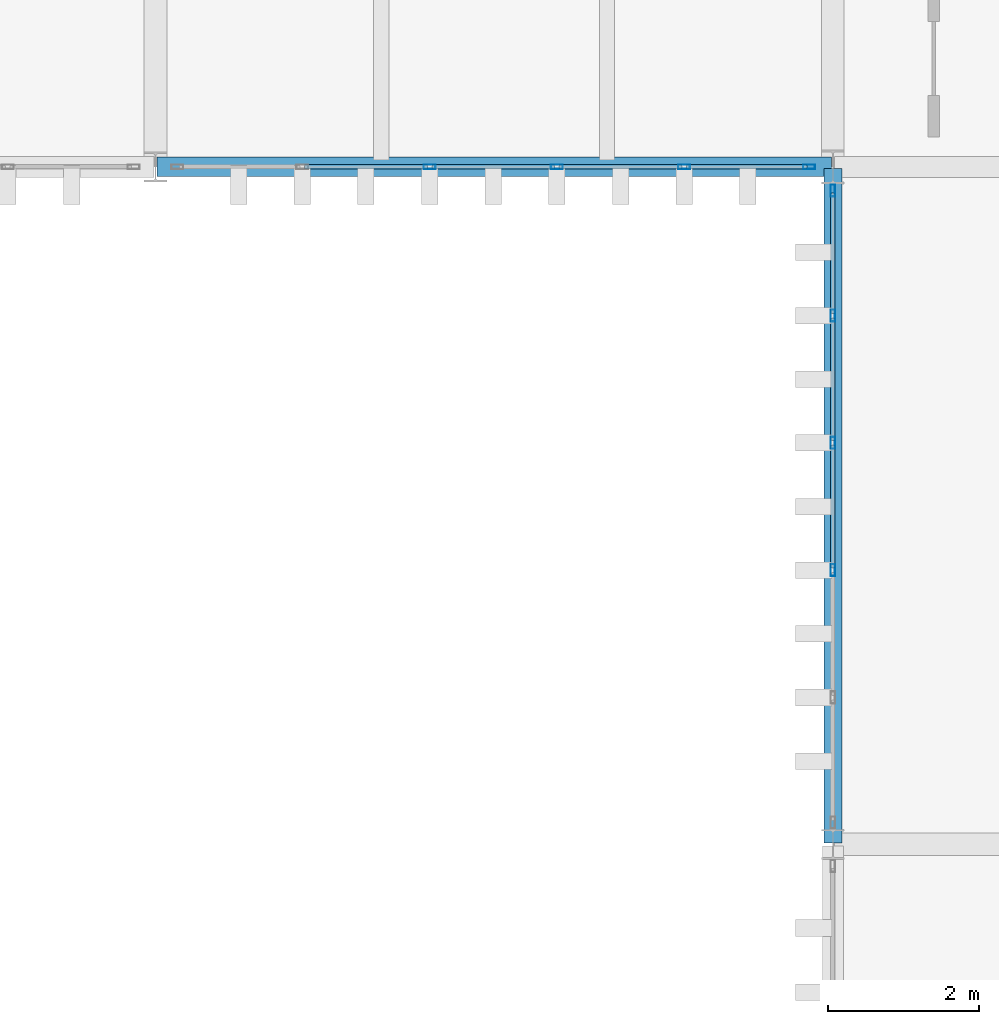
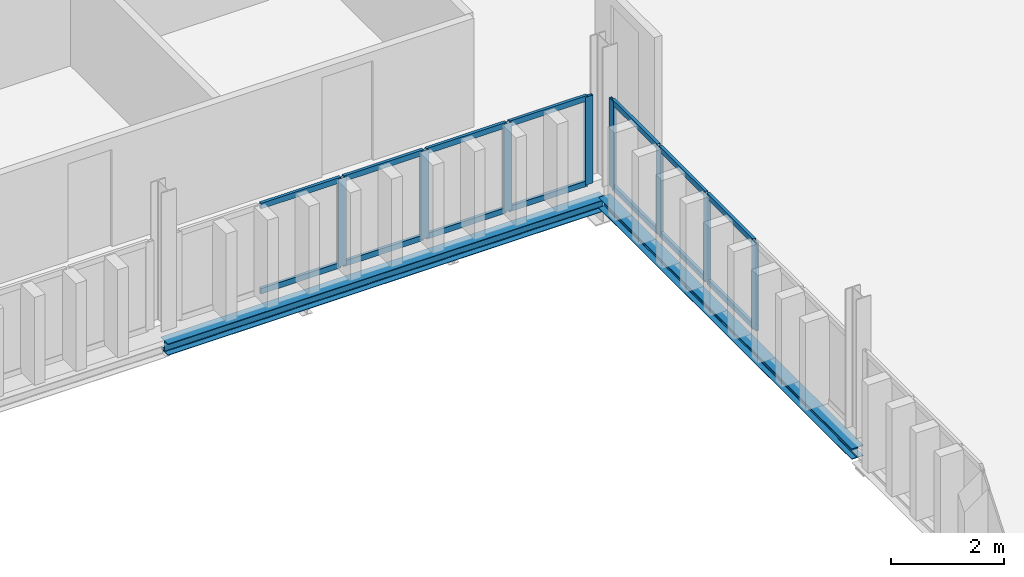
# One storey, part 35 of 58: 22 members, 2 beams, 2 elements without a shape of their own.
"""IFC4 building model written with IfcOpenShell, lengths in metres."""

import ifcopenshell
import ifcopenshell.guid

model = None  # the IFC model being written
_history = None  # IfcOwnerHistory: only IFC2X3 demands one
_inside = {}  # id of a spatial element -> (the spatial element, [elements in it])
_under = {}  # id of a project, library or spatial element -> (it, [spatial elements below it])
_declared = {}  # id of a project -> (the project, [libraries it declares])
_typed = {}  # id of a type object -> (the type object, [elements of that type])
_made_of = {}  # id of a material, layer set ... -> (it, [elements and type objects made of it])


def new_model(schema):
    """Start an empty IFC model of exactly this schema.

    Asked for "IFC4X3", IfcOpenShell would pick the latest addendum, in which some entities
    have other attributes; the version numbers below select the first issue.
    IFC2X3 requires an IfcOwnerHistory on every rooted entity: one is made here for all.
    """
    global model, _history
    if schema == "IFC4X3":
        model = ifcopenshell.file(schema_version=(4, 3, 0, 0))
    else:
        model = ifcopenshell.file(schema=schema)
    _inside.clear()
    _under.clear()
    _declared.clear()
    _typed.clear()
    _made_of.clear()
    _history = None
    if model.schema == "IFC2X3":
        org = make("IfcOrganization", Name="unknown")
        user = make(
            "IfcPersonAndOrganization",
            ThePerson=make("IfcPerson", FamilyName="unknown"),
            TheOrganization=org,
        )
        app = make(
            "IfcApplication",
            ApplicationDeveloper=org,
            Version="unknown",
            ApplicationFullName="unknown",
            ApplicationIdentifier="unknown",
        )
        _history = make(
            "IfcOwnerHistory",
            OwningUser=user,
            OwningApplication=app,
            ChangeAction="ADDED",
            CreationDate=0,
        )
    return model


def make(cls, **values):
    """One entity of the class cls with the attributes given. An attribute that is None is left unset."""
    return model.create_entity(
        cls, **{name: value for name, value in values.items() if value is not None}
    )


def rooted(cls, **values):
    """An entity with a GlobalId (a new one), such as an element, a storey or a relation."""
    return make(cls, GlobalId=ifcopenshell.guid.new(), OwnerHistory=_history, **values)


def si_unit(unit_type, name, prefix=None):
    """IfcSIUnit, for example si_unit("LENGTHUNIT", "METRE", prefix="MILLI")."""
    return make("IfcSIUnit", UnitType=unit_type, Prefix=prefix, Name=name)


def assignment(units):
    """IfcUnitAssignment: the units of a project."""
    return None if units is None else make("IfcUnitAssignment", Units=units)


def point(xyz):
    """IfcCartesianPoint."""
    return None if xyz is None else make("IfcCartesianPoint", Coordinates=xyz)


def direction(xyz):
    """IfcDirection."""
    return None if xyz is None else make("IfcDirection", DirectionRatios=xyz)


def frame(location, z_axis=None, x_axis=None):
    """IfcAxis2Placement3D, a coordinate frame: its origin and axes. An axis left out is left unset."""
    return make(
        "IfcAxis2Placement3D",
        Location=point(location),
        Axis=direction(z_axis),
        RefDirection=direction(x_axis),
    )


def frame_2d(location, x_axis=None):
    """IfcAxis2Placement2D, a coordinate frame in the plane: its origin and x axis."""
    return make(
        "IfcAxis2Placement2D", Location=point(location), RefDirection=direction(x_axis)
    )


def origin():
    """The frame at (0, 0, 0) with its axes left unset."""
    return frame((0.0, 0.0, 0.0))


def origin_2d():
    """The frame at (0, 0) in the plane with its x axis left unset."""
    return frame_2d((0.0, 0.0))


def place(relative_to, where):
    """IfcLocalPlacement: puts the frame where relative to a parent placement (None: the world)."""
    return make(
        "IfcLocalPlacement", PlacementRelTo=relative_to, RelativePlacement=where
    )


def context(
    kind, dimensions, precision=None, world=None, true_north=None, identifier=None
):
    """IfcGeometricRepresentationContext, for example the 3D "Model" context."""
    return make(
        "IfcGeometricRepresentationContext",
        ContextIdentifier=identifier,
        ContextType=kind,
        CoordinateSpaceDimension=dimensions,
        Precision=precision,
        WorldCoordinateSystem=world,
        TrueNorth=true_north,
    )


def subcontext(parent, identifier, kind, view, scale=None):
    """IfcGeometricRepresentationSubContext, for example "Body" below "Model"."""
    return make(
        "IfcGeometricRepresentationSubContext",
        ContextIdentifier=identifier,
        ContextType=kind,
        ParentContext=parent,
        TargetScale=scale,
        TargetView=view,
    )


def project(units=None, contexts=None):
    """IfcProject with its units and contexts."""
    return rooted(
        "IfcProject",
        Name="project",
        RepresentationContexts=contexts,
        UnitsInContext=assignment(units),
    )


def spatial(cls, under=None, at=None, **own):
    """A site, building, storey or space (cls), placed at a placement, below another one or the project."""
    s = rooted(cls, ObjectPlacement=at, **own)
    if under is not None:
        _under.setdefault(under.id(), (under, []))[1].append(s)
    return s


def profile(cls, at=None, kind="AREA", **sizes):
    """A parametric profile (cls). Its sizes go by their IFC names, for example OverallWidth=200.0."""
    return make(cls, ProfileType=kind, Position=at, **sizes)


def hollow_rectangle(**sizes):
    """IfcRectangleHollowProfileDef."""
    return profile("IfcRectangleHollowProfileDef", **sizes)


def i_section(**sizes):
    """IfcIShapeProfileDef."""
    return profile("IfcIShapeProfileDef", **sizes)


def extrude(swept, where, along, depth):
    """IfcExtrudedAreaSolid: the profile swept, set in the frame where, extruded along a direction by depth."""
    return make(
        "IfcExtrudedAreaSolid",
        SweptArea=swept,
        Position=where,
        ExtrudedDirection=direction(along),
        Depth=depth,
    )


def shape(context_of_items, identifier, shape_type, items):
    """IfcShapeRepresentation: the items that make up one representation, for example the "Body"."""
    return make(
        "IfcShapeRepresentation",
        ContextOfItems=context_of_items,
        RepresentationIdentifier=identifier,
        RepresentationType=shape_type,
        Items=items,
    )


def material(Name=None, Category=None):
    """IfcMaterial."""
    return make("IfcMaterial", Name=Name, Category=Category)


def layer(
    of_material, thickness, ventilated=None, Name=None, Category=None, Priority=None
):
    """IfcMaterialLayer: one layer of a wall or slab, of a material (None: an air gap)."""
    return make(
        "IfcMaterialLayer",
        Material=of_material,
        LayerThickness=thickness,
        IsVentilated=ventilated,
        Name=Name,
        Category=Category,
        Priority=Priority,
    )


def layer_set(layers, Name=None):
    """IfcMaterialLayerSet."""
    return make("IfcMaterialLayerSet", MaterialLayers=layers, LayerSetName=Name)


def material_profile(
    of_material, cross_section, Name=None, Category=None, Priority=None
):
    """IfcMaterialProfile: a cross section and its material."""
    return make(
        "IfcMaterialProfile",
        Name=Name,
        Material=of_material,
        Profile=cross_section,
        Priority=Priority,
        Category=Category,
    )


def profile_set(profiles, Name=None, composite=None):
    """IfcMaterialProfileSet."""
    return make(
        "IfcMaterialProfileSet",
        Name=Name,
        MaterialProfiles=profiles,
        CompositeProfile=composite,
    )


def made_of(thing, what):
    """Note that an element or type object is made of a material, layer set ...; save() writes the relation."""
    if what is not None:
        _made_of.setdefault(what.id(), (what, []))[1].append(thing)
    return thing


def type_object(cls, material=None, **own):
    """A type object (cls), such as IfcWallType, which elements share."""
    return made_of(rooted(cls, **own), material)


def element(
    cls,
    number,
    at=None,
    inside=None,
    cuts=None,
    type_object=None,
    material=None,
    context=None,
    identifier="Body",
    shape_type=None,
    held_by="IfcProductDefinitionShape",
    body=None,
    shapes=None,
    **own,
):
    """One element of the class cls, such as IfcWall. Its Tag is "e" and its number.

    at: its placement. inside: the storey or other place that contains it. cuts: it is an
    opening in that element (IfcRelVoidsElement). A single representation is given by context,
    identifier, shape_type and body (its items); several are given by shapes. held_by: the class
    of the entity that holds the representations. save() writes the other relations.
    """
    e = rooted(cls, Tag="e%d" % number, ObjectPlacement=at, **own)
    if body is not None:
        shapes = [shape(context, identifier, shape_type, body)]
    if shapes is not None:
        e.Representation = make(held_by, Representations=shapes)
    if inside is not None:
        _inside.setdefault(inside.id(), (inside, []))[1].append(e)
    if cuts is not None:
        rooted(
            "IfcRelVoidsElement", RelatingBuildingElement=cuts, RelatedOpeningElement=e
        )
    if type_object is not None:
        _typed.setdefault(type_object.id(), (type_object, []))[1].append(e)
    return made_of(e, material)


def aggregate(whole, parts):
    """IfcRelAggregates: a whole, such as a stair, and the parts it consists of."""
    return rooted("IfcRelAggregates", RelatingObject=whole, RelatedObjects=parts)


def save(model, path):
    """Write the relations noted so far, then the file.

    IfcRelAggregates (storeys below a building ...), IfcRelContainedInSpatialStructure (elements
    in a storey), IfcRelDefinesByType, IfcRelAssociatesMaterial and IfcRelDeclares: one each for
    every whole, place, type object, material and project.
    """
    for whole, parts in _under.values():
        aggregate(whole, parts)
    for where, things in _inside.values():
        rooted(
            "IfcRelContainedInSpatialStructure",
            RelatedElements=things,
            RelatingStructure=where,
        )
    for kind, things in _typed.values():
        rooted("IfcRelDefinesByType", RelatedObjects=things, RelatingType=kind)
    for what, things in _made_of.values():
        rooted("IfcRelAssociatesMaterial", RelatedObjects=things, RelatingMaterial=what)
    for by, libraries in _declared.values():
        rooted("IfcRelDeclares", RelatingContext=by, RelatedDefinitions=libraries)
    model.write(path)


model = new_model("IFC4")

# Units and contexts
model_context = context("Model", 3, precision=1e-05, world=origin(), true_north=direction((0.0, 1.0)))
body_context = subcontext(model_context, "Body", "Model", "MODEL_VIEW")
ifc_project = project(units=[si_unit("LENGTHUNIT", "METRE"), si_unit("AREAUNIT", "SQUARE_METRE"), si_unit("VOLUMEUNIT", "CUBIC_METRE"), si_unit("PLANEANGLEUNIT", "RADIAN"), si_unit("MASSUNIT", "GRAM", prefix="KILO")], contexts=[model_context])

# Site, building, storey
site_placement = place(None, origin())
site = spatial("IfcSite", under=ifc_project, at=site_placement, CompositionType="ELEMENT")
building_placement = place(site_placement, origin())
building = spatial("IfcBuilding", under=site, at=building_placement, Name="Barlavento Convention Centre", CompositionType="ELEMENT")
storey_placement = place(building_placement, frame((0.0, 0.0, 26.800048828125)))
storey = spatial("IfcBuildingStorey", under=building, at=storey_placement, Name="L05", CompositionType="ELEMENT", Elevation=26.800048828125)

# Curtain wall, members
ifc_material_1 = material(Name="Powder-coated aluminium and Low-E glass", Category="aluminium")
ifc_layer = layer(ifc_material_1, 0.18994140625)
ifc_layer_set = layer_set([ifc_layer], Name="ARC-CW-CONF-L05")
curtain_wall_type = type_object("IfcCurtainWallType", Name="ARC-CW-CONF-L05", PredefinedType="NOTDEFINED", material=ifc_layer_set)
curtain_wall_1_placement = place(storey_placement, origin())
curtain_wall_1 = element("IfcCurtainWall", 1, at=curtain_wall_1_placement, inside=storey, type_object=curtain_wall_type, Name="L05 unitised curtain wall CW10", PredefinedType="NOTDEFINED")
ifc_material_2 = material(Name="Powder-coated aluminium", Category="aluminium")
ifc_material_profile_1 = material_profile(ifc_material_2, hollow_rectangle(XDim=0.06005859375, YDim=0.159912109375, WallThickness=0.00390625, at=origin_2d()), Name="AL-MULL 60x160x4")
ifc_profile_set_1 = profile_set([ifc_material_profile_1], Name="Powder-coated aluminium")
member_type_1 = type_object("IfcMemberType", Name="ARC-CWM-60X160", PredefinedType="MULLION", material=ifc_profile_set_1)
member_1_placement = place(storey_placement, frame((171.0, 84.64208984375, 0.0), z_axis=(0.0, 0.0, 1.0), x_axis=(-1.0, 0.0, 0.0)))
member_1 = element("IfcMember", 2, at=member_1_placement, type_object=member_type_1, Name="CW10 mullion 3", PredefinedType="MULLION", context=body_context, shape_type="SweptSolid", body=[
    extrude(hollow_rectangle(XDim=0.06005859375, YDim=0.159912109375, WallThickness=0.00390625, at=origin_2d()), origin(), (0.0, 0.0, 1.0), 1.89990234375),
])
member_2_placement = place(storey_placement, frame((171.0, 86.3330078125, 0.0), z_axis=(0.0, 0.0, 1.0), x_axis=(-1.0, 0.0, 0.0)))
member_2 = element("IfcMember", 3, at=member_2_placement, type_object=member_type_1, Name="CW10 mullion 4", PredefinedType="MULLION", context=body_context, shape_type="SweptSolid", body=[
    extrude(hollow_rectangle(XDim=0.06005859375, YDim=0.159912109375, WallThickness=0.00390625, at=origin_2d()), origin(), (0.0, 0.0, 1.0), 1.89990234375),
])
member_3_placement = place(storey_placement, frame((171.0, 88.02392578125, 0.0), z_axis=(0.0, 0.0, 1.0), x_axis=(-1.0, 0.0, 0.0)))
member_3 = element("IfcMember", 4, at=member_3_placement, type_object=member_type_1, Name="CW10 mullion 5", PredefinedType="MULLION", context=body_context, shape_type="SweptSolid", body=[
    extrude(hollow_rectangle(XDim=0.06005859375, YDim=0.159912109375, WallThickness=0.00390625, at=origin_2d()), origin(), (0.0, 0.0, 1.0), 1.89990234375),
])
member_4_placement = place(storey_placement, frame((171.0, 89.68505859375, 0.0), z_axis=(0.0, 0.0, 1.0), x_axis=(-1.0, 0.0, 0.0)))
member_4 = element("IfcMember", 5, at=member_4_placement, type_object=member_type_1, Name="CW10 mullion 6", PredefinedType="MULLION", context=body_context, shape_type="SweptSolid", body=[
    extrude(hollow_rectangle(XDim=0.06005859375, YDim=0.159912109375, WallThickness=0.00390625, at=origin_2d()), origin(), (0.0, 0.0, 1.0), 1.89990234375),
])

curtain_wall_2_placement = place(storey_placement, origin())
curtain_wall_2 = element("IfcCurtainWall", 6, at=curtain_wall_2_placement, inside=storey, type_object=curtain_wall_type, Name="L05 unitised curtain wall CW10", PredefinedType="NOTDEFINED")
member_5_placement = place(storey_placement, frame((165.64208984375, 90.0, 0.0), z_axis=(0.0, 0.0, 1.0), x_axis=(0.0, 1.0, 0.0)))
member_5 = element("IfcMember", 7, at=member_5_placement, type_object=member_type_1, Name="CW10 mullion 3", PredefinedType="MULLION", context=body_context, shape_type="SweptSolid", body=[
    extrude(hollow_rectangle(XDim=0.06005859375, YDim=0.159912109375, WallThickness=0.00390625, at=origin_2d()), origin(), (0.0, 0.0, 1.0), 1.89990234375),
])
member_6_placement = place(storey_placement, frame((167.3330078125, 90.0, 0.0), z_axis=(0.0, 0.0, 1.0), x_axis=(0.0, 1.0, 0.0)))
member_6 = element("IfcMember", 8, at=member_6_placement, type_object=member_type_1, Name="CW10 mullion 4", PredefinedType="MULLION", context=body_context, shape_type="SweptSolid", body=[
    extrude(hollow_rectangle(XDim=0.06005859375, YDim=0.159912109375, WallThickness=0.00390625, at=origin_2d()), origin(), (0.0, 0.0, 1.0), 1.89990234375),
])
member_7_placement = place(storey_placement, frame((169.02392578125, 90.0, 0.0), z_axis=(0.0, 0.0, 1.0), x_axis=(0.0, 1.0, 0.0)))
member_7 = element("IfcMember", 9, at=member_7_placement, type_object=member_type_1, Name="CW10 mullion 5", PredefinedType="MULLION", context=body_context, shape_type="SweptSolid", body=[
    extrude(hollow_rectangle(XDim=0.06005859375, YDim=0.159912109375, WallThickness=0.00390625, at=origin_2d()), origin(), (0.0, 0.0, 1.0), 1.89990234375),
])
member_8_placement = place(storey_placement, frame((170.68505859375, 90.0, 0.0), z_axis=(0.0, 0.0, 1.0), x_axis=(0.0, 1.0, 0.0)))
member_8 = element("IfcMember", 10, at=member_8_placement, type_object=member_type_1, Name="CW10 mullion 6", PredefinedType="MULLION", context=body_context, shape_type="SweptSolid", body=[
    extrude(hollow_rectangle(XDim=0.06005859375, YDim=0.159912109375, WallThickness=0.00390625, at=origin_2d()), origin(), (0.0, 0.0, 1.0), 1.89990234375),
])

# Member
ifc_material_profile_2 = material_profile(ifc_material_2, hollow_rectangle(XDim=0.06005859375, YDim=0.1201171875, WallThickness=0.00390625, at=origin_2d()), Name="AL-TRAN 60x120x4")
ifc_profile_set_2 = profile_set([ifc_material_profile_2], Name="Powder-coated aluminium")
member_type_2 = type_object("IfcMemberType", Name="ARC-CWT-60X120", PredefinedType="USERDEFINED", material=ifc_profile_set_2)
member_9_placement = place(storey_placement, frame((171.0, 84.672119140625, 0.030029296875), z_axis=(0.0, 1.0, 0.0), x_axis=(-1.0, 0.0, 0.0)))
member_9 = element("IfcMember", 11, at=member_9_placement, type_object=member_type_2, Name="CW10 transom 3.1", ObjectType="TRANSOM", PredefinedType="USERDEFINED", context=body_context, shape_type="SweptSolid", body=[
    extrude(hollow_rectangle(XDim=0.06005859375, YDim=0.1201171875, WallThickness=0.00390625, at=origin_2d()), origin(), (0.0, 0.0, 1.0), 1.630859375),
])

member_10_placement = place(storey_placement, frame((171.0, 84.672119140625, 1.869873046875), z_axis=(0.0, 1.0, 0.0), x_axis=(-1.0, 0.0, 0.0)))
member_10 = element("IfcMember", 12, at=member_10_placement, type_object=member_type_2, Name="CW10 transom 3.2", ObjectType="TRANSOM", PredefinedType="USERDEFINED", context=body_context, shape_type="SweptSolid", body=[
    extrude(hollow_rectangle(XDim=0.06005859375, YDim=0.1201171875, WallThickness=0.00390625, at=origin_2d()), origin(), (0.0, 0.0, 1.0), 1.630859375),
])

member_11_placement = place(storey_placement, frame((171.0, 86.363037109375, 0.030029296875), z_axis=(0.0, 1.0, 0.0), x_axis=(-1.0, 0.0, 0.0)))
member_11 = element("IfcMember", 13, at=member_11_placement, type_object=member_type_2, Name="CW10 transom 4.1", ObjectType="TRANSOM", PredefinedType="USERDEFINED", context=body_context, shape_type="SweptSolid", body=[
    extrude(hollow_rectangle(XDim=0.06005859375, YDim=0.1201171875, WallThickness=0.00390625, at=origin_2d()), origin(), (0.0, 0.0, 1.0), 1.630859375),
])

member_12_placement = place(storey_placement, frame((171.0, 86.363037109375, 1.869873046875), z_axis=(0.0, 1.0, 0.0), x_axis=(-1.0, 0.0, 0.0)))
member_12 = element("IfcMember", 14, at=member_12_placement, type_object=member_type_2, Name="CW10 transom 4.2", ObjectType="TRANSOM", PredefinedType="USERDEFINED", context=body_context, shape_type="SweptSolid", body=[
    extrude(hollow_rectangle(XDim=0.06005859375, YDim=0.1201171875, WallThickness=0.00390625, at=origin_2d()), origin(), (0.0, 0.0, 1.0), 1.630859375),
])

member_13_placement = place(storey_placement, frame((171.0, 88.053955078125, 0.030029296875), z_axis=(0.0, 1.0, 0.0), x_axis=(-1.0, 0.0, 0.0)))
member_13 = element("IfcMember", 15, at=member_13_placement, type_object=member_type_2, Name="CW10 transom 5.1", ObjectType="TRANSOM", PredefinedType="USERDEFINED", context=body_context, shape_type="SweptSolid", body=[
    extrude(hollow_rectangle(XDim=0.06005859375, YDim=0.1201171875, WallThickness=0.00390625, at=origin_2d()), origin(), (0.0, 0.0, 1.0), 1.60107421875),
])

member_14_placement = place(storey_placement, frame((171.0, 88.053955078125, 1.869873046875), z_axis=(0.0, 1.0, 0.0), x_axis=(-1.0, 0.0, 0.0)))
member_14 = element("IfcMember", 16, at=member_14_placement, type_object=member_type_2, Name="CW10 transom 5.2", ObjectType="TRANSOM", PredefinedType="USERDEFINED", context=body_context, shape_type="SweptSolid", body=[
    extrude(hollow_rectangle(XDim=0.06005859375, YDim=0.1201171875, WallThickness=0.00390625, at=origin_2d()), origin(), (0.0, 0.0, 1.0), 1.60107421875),
])

aggregate(curtain_wall_1, [member_1, member_2, member_3, member_4, member_9, member_10, member_11, member_12, member_13, member_14])

member_15_placement = place(storey_placement, frame((163.98095703125, 90.0, 0.030029296875), z_axis=(1.0, 0.0, 0.0), x_axis=(0.0, 1.0, 0.0)))
member_15 = element("IfcMember", 17, at=member_15_placement, type_object=member_type_2, Name="CW10 transom 2.1", ObjectType="TRANSOM", PredefinedType="USERDEFINED", context=body_context, shape_type="SweptSolid", body=[
    extrude(hollow_rectangle(XDim=0.06005859375, YDim=0.1201171875, WallThickness=0.00390625, at=origin_2d()), origin(), (0.0, 0.0, 1.0), 1.631103515625),
])

member_16_placement = place(storey_placement, frame((163.98095703125, 90.0, 1.869873046875), z_axis=(1.0, 0.0, 0.0), x_axis=(0.0, 1.0, 0.0)))
member_16 = element("IfcMember", 18, at=member_16_placement, type_object=member_type_2, Name="CW10 transom 2.2", ObjectType="TRANSOM", PredefinedType="USERDEFINED", context=body_context, shape_type="SweptSolid", body=[
    extrude(hollow_rectangle(XDim=0.06005859375, YDim=0.1201171875, WallThickness=0.00390625, at=origin_2d()), origin(), (0.0, 0.0, 1.0), 1.631103515625),
])

member_17_placement = place(storey_placement, frame((165.672119140625, 90.0, 0.030029296875), z_axis=(1.0, 0.0, 0.0), x_axis=(0.0, 1.0, 0.0)))
member_17 = element("IfcMember", 19, at=member_17_placement, type_object=member_type_2, Name="CW10 transom 3.1", ObjectType="TRANSOM", PredefinedType="USERDEFINED", context=body_context, shape_type="SweptSolid", body=[
    extrude(hollow_rectangle(XDim=0.06005859375, YDim=0.1201171875, WallThickness=0.00390625, at=origin_2d()), origin(), (0.0, 0.0, 1.0), 1.630859375),
])

member_18_placement = place(storey_placement, frame((165.672119140625, 90.0, 1.869873046875), z_axis=(1.0, 0.0, 0.0), x_axis=(0.0, 1.0, 0.0)))
member_18 = element("IfcMember", 20, at=member_18_placement, type_object=member_type_2, Name="CW10 transom 3.2", ObjectType="TRANSOM", PredefinedType="USERDEFINED", context=body_context, shape_type="SweptSolid", body=[
    extrude(hollow_rectangle(XDim=0.06005859375, YDim=0.1201171875, WallThickness=0.00390625, at=origin_2d()), origin(), (0.0, 0.0, 1.0), 1.630859375),
])

member_19_placement = place(storey_placement, frame((167.363037109375, 90.0, 0.030029296875), z_axis=(1.0, 0.0, 0.0), x_axis=(0.0, 1.0, 0.0)))
member_19 = element("IfcMember", 21, at=member_19_placement, type_object=member_type_2, Name="CW10 transom 4.1", ObjectType="TRANSOM", PredefinedType="USERDEFINED", context=body_context, shape_type="SweptSolid", body=[
    extrude(hollow_rectangle(XDim=0.06005859375, YDim=0.1201171875, WallThickness=0.00390625, at=origin_2d()), origin(), (0.0, 0.0, 1.0), 1.630859375),
])

member_20_placement = place(storey_placement, frame((167.363037109375, 90.0, 1.869873046875), z_axis=(1.0, 0.0, 0.0), x_axis=(0.0, 1.0, 0.0)))
member_20 = element("IfcMember", 22, at=member_20_placement, type_object=member_type_2, Name="CW10 transom 4.2", ObjectType="TRANSOM", PredefinedType="USERDEFINED", context=body_context, shape_type="SweptSolid", body=[
    extrude(hollow_rectangle(XDim=0.06005859375, YDim=0.1201171875, WallThickness=0.00390625, at=origin_2d()), origin(), (0.0, 0.0, 1.0), 1.630859375),
])

member_21_placement = place(storey_placement, frame((169.053955078125, 90.0, 0.030029296875), z_axis=(1.0, 0.0, 0.0), x_axis=(0.0, 1.0, 0.0)))
member_21 = element("IfcMember", 23, at=member_21_placement, type_object=member_type_2, Name="CW10 transom 5.1", ObjectType="TRANSOM", PredefinedType="USERDEFINED", context=body_context, shape_type="SweptSolid", body=[
    extrude(hollow_rectangle(XDim=0.06005859375, YDim=0.1201171875, WallThickness=0.00390625, at=origin_2d()), origin(), (0.0, 0.0, 1.0), 1.60107421875),
])

member_22_placement = place(storey_placement, frame((169.053955078125, 90.0, 1.869873046875), z_axis=(1.0, 0.0, 0.0), x_axis=(0.0, 1.0, 0.0)))
member_22 = element("IfcMember", 24, at=member_22_placement, type_object=member_type_2, Name="CW10 transom 5.2", ObjectType="TRANSOM", PredefinedType="USERDEFINED", context=body_context, shape_type="SweptSolid", body=[
    extrude(hollow_rectangle(XDim=0.06005859375, YDim=0.1201171875, WallThickness=0.00390625, at=origin_2d()), origin(), (0.0, 0.0, 1.0), 1.60107421875),
])

aggregate(curtain_wall_2, [member_5, member_6, member_7, member_8, member_15, member_16, member_17, member_18, member_19, member_20, member_21, member_22])

# Beams
ifc_material_3 = material(Name="Steel S355", Category="steel")
ifc_material_profile_3 = material_profile(ifc_material_3, i_section(OverallWidth=0.239990234375, OverallDepth=0.22998046875, WebThickness=0.007568359375, FlangeThickness=0.011962890625, FilletRadius=0.02099609375, at=origin_2d()), Name="HEA 240")
ifc_profile_set_3 = profile_set([ifc_material_profile_3], Name="Steel S355")
beam_type_1 = type_object("IfcBeamType", Name="STR-BM-SPN-HEA240", PredefinedType="SPANDREL", material=ifc_profile_set_3)
beam_1_placement = place(storey_placement, frame((171.0, 81.02001953125, -0.47509765625), z_axis=(0.0, 1.0, 0.0), x_axis=(-1.0, 0.0, 0.0)))
element("IfcBeam", 25, at=beam_1_placement, inside=storey, type_object=beam_type_1, Name="L05 grid girder SP05", PredefinedType="SPANDREL", context=body_context, shape_type="SweptSolid", body=[
    extrude(i_section(OverallWidth=0.239990234375, OverallDepth=0.22998046875, WebThickness=0.007568359375, FlangeThickness=0.011962890625, FilletRadius=0.02099609375, at=origin_2d()), origin(), (0.0, 0.0, 1.0), 8.9599609375),
])
ifc_material_profile_4 = material_profile(ifc_material_3, i_section(OverallWidth=0.260009765625, OverallDepth=0.25, WebThickness=0.007568359375, FlangeThickness=0.012451171875, FilletRadius=0.02392578125, at=origin_2d()), Name="HEA 260")
ifc_profile_set_4 = profile_set([ifc_material_profile_4], Name="Steel S355")
beam_type_2 = type_object("IfcBeamType", Name="STR-BM-SPN-HEA260", PredefinedType="SPANDREL", material=ifc_profile_set_4)
beam_2_placement = place(storey_placement, frame((162.02001953125, 90.0, -0.485107421875), z_axis=(1.0, 0.0, 0.0), x_axis=(0.0, 1.0, 0.0)))
element("IfcBeam", 26, at=beam_2_placement, inside=storey, type_object=beam_type_2, Name="L05 primary girder SP04", PredefinedType="SPANDREL", context=body_context, shape_type="SweptSolid", body=[
    extrude(i_section(OverallWidth=0.260009765625, OverallDepth=0.25, WebThickness=0.007568359375, FlangeThickness=0.012451171875, FilletRadius=0.02392578125, at=origin_2d()), origin(), (0.0, 0.0, 1.0), 8.9599609375),
])

save(model, "model.ifc")
